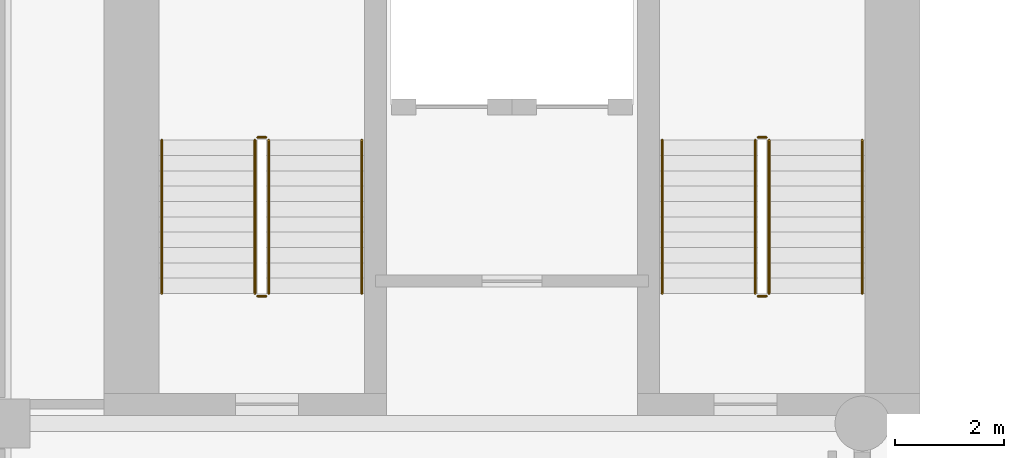
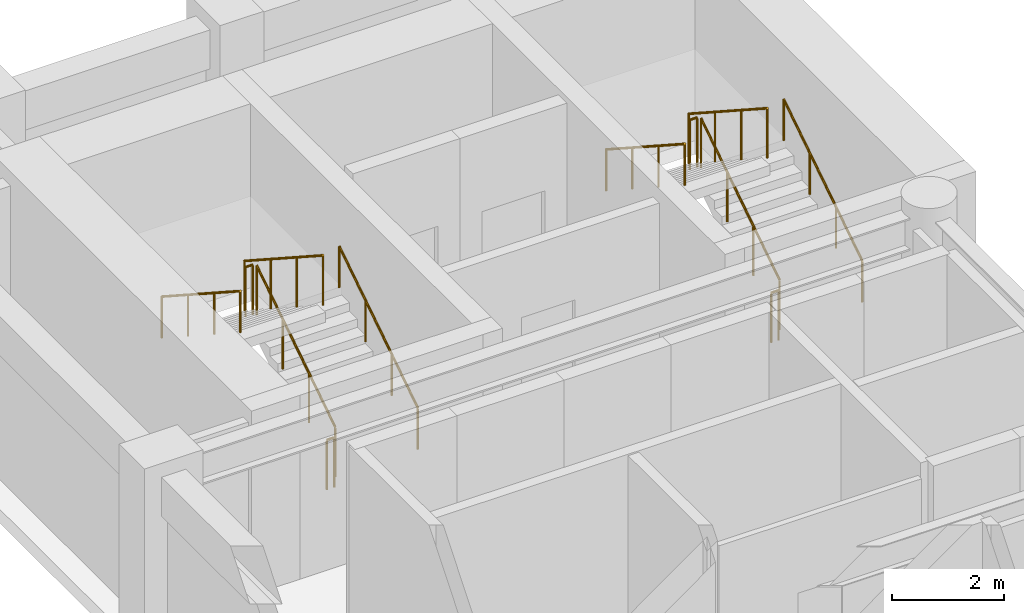
# One storey, part 9 of 10: 12 railings.
"""IFC4 building model written with IfcOpenShell, lengths in metres."""

from ifc_helpers import new_model, si_unit, direction, frame, origin, origin_2d, place, context, subcontext, project, spatial, circle, extrude, material, type_object, element, save


model = new_model("IFC4")

# Units and contexts
model_context = context("Model", 3, precision=1e-05, world=origin(), true_north=direction((0.0, 1.0)))
body_context = subcontext(model_context, "Body", "Model", "MODEL_VIEW")
ifc_project = project(units=[si_unit("LENGTHUNIT", "METRE"), si_unit("AREAUNIT", "SQUARE_METRE"), si_unit("VOLUMEUNIT", "CUBIC_METRE"), si_unit("PLANEANGLEUNIT", "RADIAN"), si_unit("MASSUNIT", "GRAM", prefix="KILO")], contexts=[model_context])

# Site, building, storey
site_placement = place(None, origin())
site = spatial("IfcSite", under=ifc_project, at=site_placement, CompositionType="ELEMENT")
building_placement = place(site_placement, origin())
building = spatial("IfcBuilding", under=site, at=building_placement, Name="Sulina Concourse Tower", CompositionType="ELEMENT")
storey_placement = place(building_placement, frame((0.0, 0.0, 22.60009765625)))
storey = spatial("IfcBuildingStorey", under=building, at=storey_placement, Name="L05", CompositionType="ELEMENT", Elevation=22.60009765625)

# Railings
ifc_material_1 = material(Name="Galvanised steel railing", Category="steel")
railing_type_1 = type_object("IfcRailingType", Name="Core Stair Steel Guardrail 1150mm", PredefinedType="GUARDRAIL", material=ifc_material_1)
railing_1_placement = place(storey_placement, frame((5.554931640625, 36.375, 0.181640625)))
element("IfcRailing", 1, at=railing_1_placement, inside=storey, type_object=railing_type_1, Name="L05 ST-1 stair guard 1", PredefinedType="GUARDRAIL", context=body_context, shape_type="SweptSolid", body=[
    extrude(circle(Radius=0.02392578125, at=origin_2d()), frame((0.0, 0.0, 1.076171875), z_axis=(0.0, 0.838672427954, 0.544636170843), x_axis=(-1.0, 0.0, 0.0)), (0.0, 0.0, 1.0), 3.338623046875),
    extrude(circle(Radius=0.02099609375, at=origin_2d()), origin(), (0.0, 0.0, 1.0), 1.052001953125),
    extrude(circle(Radius=0.02099609375, at=origin_2d()), frame((0.0, 0.933349609375, 0.606201171875)), (0.0, 0.0, 1.0), 1.052001953125),
    extrude(circle(Radius=0.02099609375, at=origin_2d()), frame((0.0, 1.86669921875, 1.212158203125)), (0.0, 0.0, 1.0), 1.052001953125),
    extrude(circle(Radius=0.02099609375, at=origin_2d()), frame((0.0, 2.800048828125, 1.818359375)), (0.0, 0.0, 1.0), 1.052001953125),
])
railing_2_placement = place(storey_placement, frame((5.5048828125, 39.22509765625, 2.0)))
element("IfcRailing", 2, at=railing_2_placement, inside=storey, type_object=railing_type_1, Name="L05 ST-1 stair guard 2", PredefinedType="GUARDRAIL", context=body_context, shape_type="SweptSolid", body=[
    extrude(circle(Radius=0.02392578125, at=origin_2d()), frame((0.0, 0.0, 1.076171875), z_axis=(-1.0, 0.0, 0.0), x_axis=(0.0, -1.0, 0.0)), (0.0, 0.0, 1.0), 0.14990234375),
    extrude(circle(Radius=0.02099609375, at=origin_2d()), origin(), (0.0, 0.0, 1.0), 1.052001953125),
    extrude(circle(Radius=0.02099609375, at=origin_2d()), frame((-0.14990234375, 0.0, 0.0)), (0.0, 0.0, 1.0), 1.052001953125),
])
railing_3_placement = place(storey_placement, frame((5.304931640625, 39.175048828125, 2.181640625)))
element("IfcRailing", 3, at=railing_3_placement, inside=storey, type_object=railing_type_1, Name="L05 ST-1 stair guard 3", PredefinedType="GUARDRAIL", context=body_context, shape_type="SweptSolid", body=[
    extrude(circle(Radius=0.02392578125, at=origin_2d()), frame((0.0, 0.0, 1.076171875), z_axis=(0.0, -0.838672427954, 0.544636170843), x_axis=(1.0, 0.0, 0.0)), (0.0, 0.0, 1.0), 3.338623046875),
    extrude(circle(Radius=0.02099609375, at=origin_2d()), origin(), (0.0, 0.0, 1.0), 1.052001953125),
    extrude(circle(Radius=0.02099609375, at=origin_2d()), frame((0.0, -0.933349609375, 0.606201171875)), (0.0, 0.0, 1.0), 1.052001953125),
    extrude(circle(Radius=0.02099609375, at=origin_2d()), frame((0.0, -1.86669921875, 1.212158203125)), (0.0, 0.0, 1.0), 1.052001953125),
    extrude(circle(Radius=0.02099609375, at=origin_2d()), frame((0.0, -2.800048828125, 1.818359375)), (0.0, 0.0, 1.0), 1.052001953125),
])
railing_4_placement = place(storey_placement, frame((5.5048828125, 36.324951171875, 0.0)))
element("IfcRailing", 4, at=railing_4_placement, inside=storey, type_object=railing_type_1, Name="L05 ST-1 stair guard 4", PredefinedType="GUARDRAIL", context=body_context, shape_type="SweptSolid", body=[
    extrude(circle(Radius=0.02392578125, at=origin_2d()), frame((0.0, 0.0, 1.076171875), z_axis=(-1.0, 0.0, 0.0), x_axis=(0.0, -1.0, 0.0)), (0.0, 0.0, 1.0), 0.14990234375),
    extrude(circle(Radius=0.02099609375, at=origin_2d()), origin(), (0.0, 0.0, 1.0), 1.052001953125),
    extrude(circle(Radius=0.02099609375, at=origin_2d()), frame((-0.14990234375, 0.0, 0.0)), (0.0, 0.0, 1.0), 1.052001953125),
])
railing_5_placement = place(storey_placement, frame((14.695068359375, 36.375, 0.181640625)))
element("IfcRailing", 5, at=railing_5_placement, inside=storey, type_object=railing_type_1, Name="L05 ST-2 stair guard 1", PredefinedType="GUARDRAIL", context=body_context, shape_type="SweptSolid", body=[
    extrude(circle(Radius=0.02392578125, at=origin_2d()), frame((0.0, 0.0, 1.076171875), z_axis=(0.0, 0.838672427954, 0.544636170843), x_axis=(-1.0, 0.0, 0.0)), (0.0, 0.0, 1.0), 3.338623046875),
    extrude(circle(Radius=0.02099609375, at=origin_2d()), origin(), (0.0, 0.0, 1.0), 1.052001953125),
    extrude(circle(Radius=0.02099609375, at=origin_2d()), frame((0.0, 0.933349609375, 0.606201171875)), (0.0, 0.0, 1.0), 1.052001953125),
    extrude(circle(Radius=0.02099609375, at=origin_2d()), frame((0.0, 1.86669921875, 1.212158203125)), (0.0, 0.0, 1.0), 1.052001953125),
    extrude(circle(Radius=0.02099609375, at=origin_2d()), frame((0.0, 2.800048828125, 1.818359375)), (0.0, 0.0, 1.0), 1.052001953125),
])
railing_6_placement = place(storey_placement, frame((14.64501953125, 39.22509765625, 2.0)))
element("IfcRailing", 6, at=railing_6_placement, inside=storey, type_object=railing_type_1, Name="L05 ST-2 stair guard 2", PredefinedType="GUARDRAIL", context=body_context, shape_type="SweptSolid", body=[
    extrude(circle(Radius=0.02392578125, at=origin_2d()), frame((0.0, 0.0, 1.076171875), z_axis=(-1.0, 0.0, 0.0), x_axis=(0.0, -1.0, 0.0)), (0.0, 0.0, 1.0), 0.14990234375),
    extrude(circle(Radius=0.02099609375, at=origin_2d()), origin(), (0.0, 0.0, 1.0), 1.052001953125),
    extrude(circle(Radius=0.02099609375, at=origin_2d()), frame((-0.14990234375, 0.0, 0.0)), (0.0, 0.0, 1.0), 1.052001953125),
])
railing_7_placement = place(storey_placement, frame((14.445068359375, 39.175048828125, 2.181640625)))
element("IfcRailing", 7, at=railing_7_placement, inside=storey, type_object=railing_type_1, Name="L05 ST-2 stair guard 3", PredefinedType="GUARDRAIL", context=body_context, shape_type="SweptSolid", body=[
    extrude(circle(Radius=0.02392578125, at=origin_2d()), frame((0.0, 0.0, 1.076171875), z_axis=(0.0, -0.838672427954, 0.544636170843), x_axis=(1.0, 0.0, 0.0)), (0.0, 0.0, 1.0), 3.338623046875),
    extrude(circle(Radius=0.02099609375, at=origin_2d()), origin(), (0.0, 0.0, 1.0), 1.052001953125),
    extrude(circle(Radius=0.02099609375, at=origin_2d()), frame((0.0, -0.933349609375, 0.606201171875)), (0.0, 0.0, 1.0), 1.052001953125),
    extrude(circle(Radius=0.02099609375, at=origin_2d()), frame((0.0, -1.86669921875, 1.212158203125)), (0.0, 0.0, 1.0), 1.052001953125),
    extrude(circle(Radius=0.02099609375, at=origin_2d()), frame((0.0, -2.800048828125, 1.818359375)), (0.0, 0.0, 1.0), 1.052001953125),
])
railing_8_placement = place(storey_placement, frame((14.64501953125, 36.324951171875, 0.0)))
element("IfcRailing", 8, at=railing_8_placement, inside=storey, type_object=railing_type_1, Name="L05 ST-2 stair guard 4", PredefinedType="GUARDRAIL", context=body_context, shape_type="SweptSolid", body=[
    extrude(circle(Radius=0.02392578125, at=origin_2d()), frame((0.0, 0.0, 1.076171875), z_axis=(-1.0, 0.0, 0.0), x_axis=(0.0, -1.0, 0.0)), (0.0, 0.0, 1.0), 0.14990234375),
    extrude(circle(Radius=0.02099609375, at=origin_2d()), origin(), (0.0, 0.0, 1.0), 1.052001953125),
    extrude(circle(Radius=0.02099609375, at=origin_2d()), frame((-0.14990234375, 0.0, 0.0)), (0.0, 0.0, 1.0), 1.052001953125),
])
ifc_material_2 = material(Name="Galvanised steel railing", Category="steel")
railing_type_2 = type_object("IfcRailingType", Name="Stair Wall Steel Handrail 920mm", PredefinedType="HANDRAIL", material=ifc_material_2)
railing_9_placement = place(storey_placement, frame((7.2548828125, 36.375, 0.181640625)))
element("IfcRailing", 9, at=railing_9_placement, inside=storey, type_object=railing_type_2, Name="L05 ST-1 stair handrail 1", PredefinedType="HANDRAIL", context=body_context, shape_type="SweptSolid", body=[
    extrude(circle(Radius=0.02392578125, at=origin_2d()), frame((0.0, 0.0, 0.89599609375), z_axis=(0.0, 0.838672427954, 0.544636170843), x_axis=(-1.0, 0.0, 0.0)), (0.0, 0.0, 1.0), 3.338623046875),
    extrude(circle(Radius=0.02099609375, at=origin_2d()), origin(), (0.0, 0.0, 1.0), 0.871826171875),
    extrude(circle(Radius=0.02099609375, at=origin_2d()), frame((0.0, 0.933349609375, 0.606201171875)), (0.0, 0.0, 1.0), 0.871826171875),
    extrude(circle(Radius=0.02099609375, at=origin_2d()), frame((0.0, 1.86669921875, 1.212158203125)), (0.0, 0.0, 1.0), 0.871826171875),
    extrude(circle(Radius=0.02099609375, at=origin_2d()), frame((0.0, 2.800048828125, 1.818359375)), (0.0, 0.0, 1.0), 0.871826171875),
])
railing_10_placement = place(storey_placement, frame((3.60498046875, 39.175048828125, 2.181640625)))
element("IfcRailing", 10, at=railing_10_placement, inside=storey, type_object=railing_type_2, Name="L05 ST-1 stair handrail 2", PredefinedType="HANDRAIL", context=body_context, shape_type="SweptSolid", body=[
    extrude(circle(Radius=0.02392578125, at=origin_2d()), frame((0.0, 0.0, 0.89599609375), z_axis=(0.0, -0.838672427954, 0.544636170843), x_axis=(1.0, 0.0, 0.0)), (0.0, 0.0, 1.0), 3.338623046875),
    extrude(circle(Radius=0.02099609375, at=origin_2d()), origin(), (0.0, 0.0, 1.0), 0.871826171875),
    extrude(circle(Radius=0.02099609375, at=origin_2d()), frame((0.0, -0.933349609375, 0.606201171875)), (0.0, 0.0, 1.0), 0.871826171875),
    extrude(circle(Radius=0.02099609375, at=origin_2d()), frame((0.0, -1.86669921875, 1.212158203125)), (0.0, 0.0, 1.0), 0.871826171875),
    extrude(circle(Radius=0.02099609375, at=origin_2d()), frame((0.0, -2.800048828125, 1.818359375)), (0.0, 0.0, 1.0), 0.871826171875),
])
railing_11_placement = place(storey_placement, frame((16.39501953125, 36.375, 0.181640625)))
element("IfcRailing", 11, at=railing_11_placement, inside=storey, type_object=railing_type_2, Name="L05 ST-2 stair handrail 1", PredefinedType="HANDRAIL", context=body_context, shape_type="SweptSolid", body=[
    extrude(circle(Radius=0.02392578125, at=origin_2d()), frame((0.0, 0.0, 0.89599609375), z_axis=(0.0, 0.838672427954, 0.544636170843), x_axis=(-1.0, 0.0, 0.0)), (0.0, 0.0, 1.0), 3.338623046875),
    extrude(circle(Radius=0.02099609375, at=origin_2d()), origin(), (0.0, 0.0, 1.0), 0.871826171875),
    extrude(circle(Radius=0.02099609375, at=origin_2d()), frame((0.0, 0.933349609375, 0.606201171875)), (0.0, 0.0, 1.0), 0.871826171875),
    extrude(circle(Radius=0.02099609375, at=origin_2d()), frame((0.0, 1.86669921875, 1.212158203125)), (0.0, 0.0, 1.0), 0.871826171875),
    extrude(circle(Radius=0.02099609375, at=origin_2d()), frame((0.0, 2.800048828125, 1.818359375)), (0.0, 0.0, 1.0), 0.871826171875),
])
railing_12_placement = place(storey_placement, frame((12.7451171875, 39.175048828125, 2.181640625)))
element("IfcRailing", 12, at=railing_12_placement, inside=storey, type_object=railing_type_2, Name="L05 ST-2 stair handrail 2", PredefinedType="HANDRAIL", context=body_context, shape_type="SweptSolid", body=[
    extrude(circle(Radius=0.02392578125, at=origin_2d()), frame((0.0, 0.0, 0.89599609375), z_axis=(0.0, -0.838672427954, 0.544636170843), x_axis=(1.0, 0.0, 0.0)), (0.0, 0.0, 1.0), 3.338623046875),
    extrude(circle(Radius=0.02099609375, at=origin_2d()), origin(), (0.0, 0.0, 1.0), 0.871826171875),
    extrude(circle(Radius=0.02099609375, at=origin_2d()), frame((0.0, -0.933349609375, 0.606201171875)), (0.0, 0.0, 1.0), 0.871826171875),
    extrude(circle(Radius=0.02099609375, at=origin_2d()), frame((0.0, -1.86669921875, 1.212158203125)), (0.0, 0.0, 1.0), 0.871826171875),
    extrude(circle(Radius=0.02099609375, at=origin_2d()), frame((0.0, -2.800048828125, 1.818359375)), (0.0, 0.0, 1.0), 0.871826171875),
])

save(model, "model.ifc")
